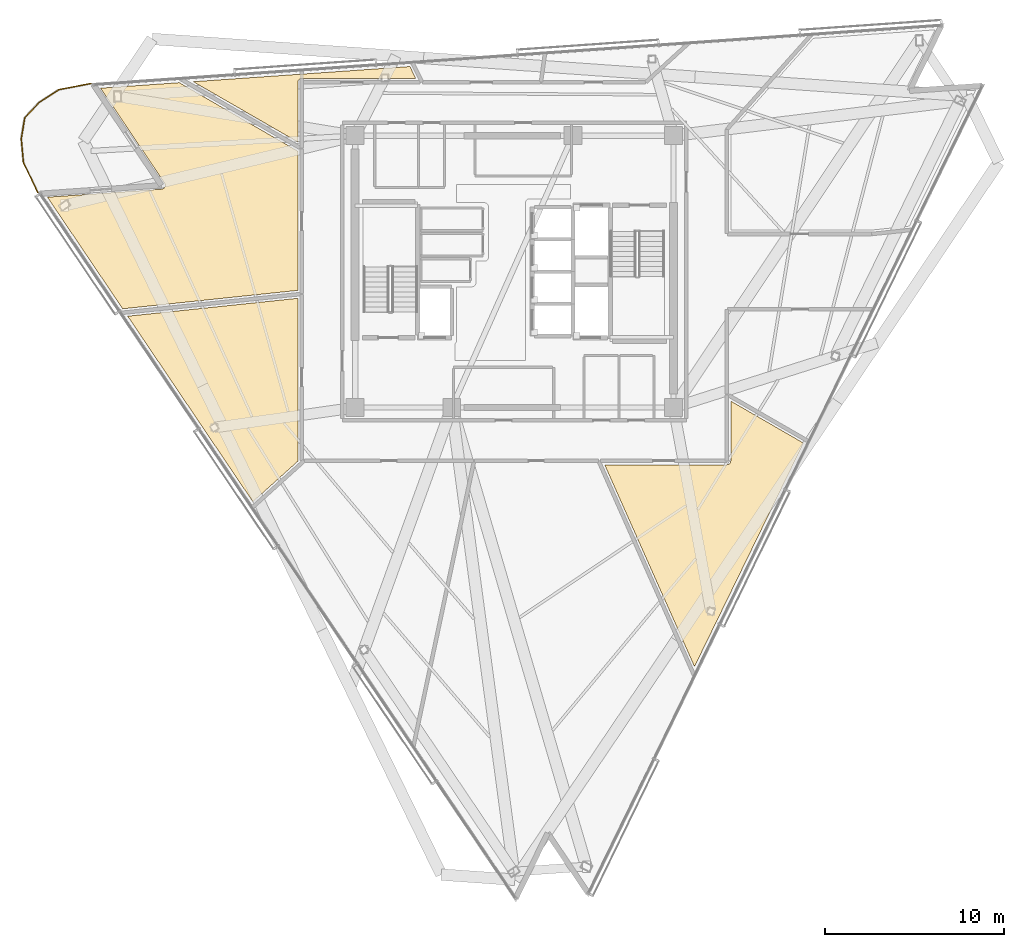
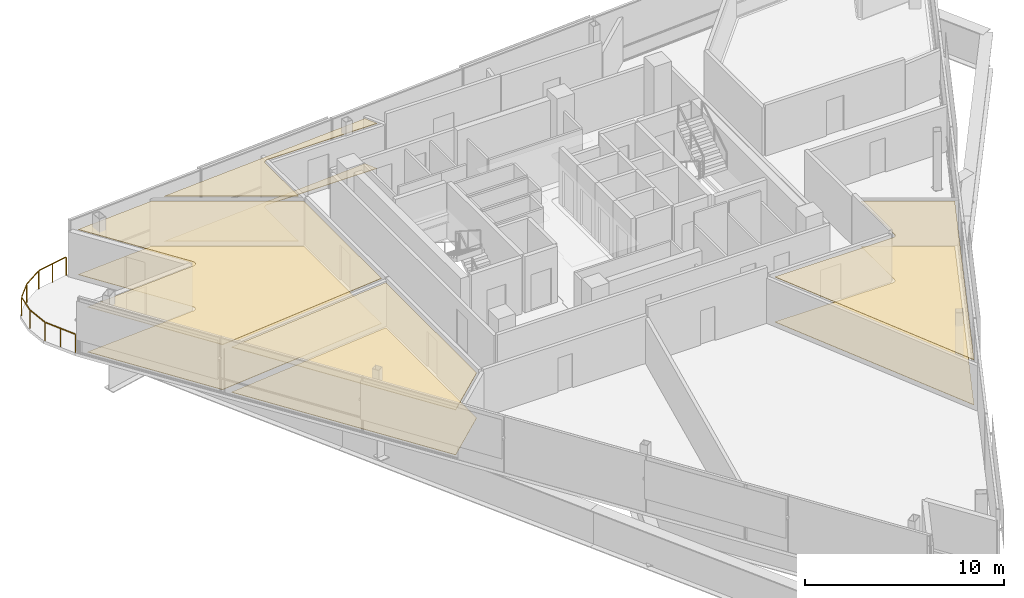
# One storey, part 15 of 17: 8 coverings, 1 railing.
"""IFC4 building model written with IfcOpenShell, lengths in metres."""

from ifc_helpers import new_model, si_unit, direction, frame, origin, origin_2d, place, context, subcontext, project, spatial, polyline, rectangle, outline, extrude, material, layer, layer_set, type_object, element, save


model = new_model("IFC4")

# Units and contexts
model_context = context("Model", 3, precision=1e-05, world=origin(), true_north=direction((0.0, 1.0)))
body_context = subcontext(model_context, "Body", "Model", "MODEL_VIEW")
ifc_project = project(units=[si_unit("LENGTHUNIT", "METRE"), si_unit("AREAUNIT", "SQUARE_METRE"), si_unit("VOLUMEUNIT", "CUBIC_METRE"), si_unit("PLANEANGLEUNIT", "RADIAN"), si_unit("MASSUNIT", "GRAM", prefix="KILO")], contexts=[model_context])

# Site, building, storey
site_placement = place(None, origin())
site = spatial("IfcSite", under=ifc_project, at=site_placement, CompositionType="ELEMENT")
building_placement = place(site_placement, origin())
building = spatial("IfcBuilding", under=site, at=building_placement, Name="Tharavind Bronze Gate", CompositionType="ELEMENT")
storey_placement = place(building_placement, frame((0.0, 0.0, 253.39990234375)))
storey = spatial("IfcBuildingStorey", under=building, at=storey_placement, Name="L65", CompositionType="ELEMENT", Elevation=253.39990234375)

# Coverings
ifc_material_1 = material(Name="Perforated Bronze Acoustic Panel", Category="bronze")
ifc_layer_1 = layer(ifc_material_1, 0.044921875)
ifc_layer_set_1 = layer_set([ifc_layer_1], Name="Perforated Bronze Acoustic Panel")
covering_type_1 = type_object("IfcCoveringType", Name="ACOUSTIC BRONZE BAFFLE CEILING", PredefinedType="CEILING", material=ifc_layer_set_1)
covering_1_placement = place(storey_placement, frame((0.0, 0.0, 2.75)))
element("IfcCovering", 1, at=covering_1_placement, inside=storey, type_object=covering_type_1, Name="L65-RM-04 suspended ceiling", PredefinedType="CEILING", context=body_context, shape_type="SweptSolid", body=[
    extrude(outline(polyline([(-12.10009765625, 7.239990234375), (-12.10009765625, 10.579345703125), (-12.099609375, 10.590087890625), (-12.099609375, 10.5908203125), (-12.09765625, 10.6123046875), (-12.093505859375, 10.63330078125), (-12.087158203125, 10.654052734375), (-12.078857421875, 10.674072265625), (-12.068603515625, 10.693115234375), (-12.056640625, 10.7109375), (-12.04296875, 10.727783203125), (-12.027587890625, 10.742919921875), (-12.010986328125, 10.756591796875), (-11.9931640625, 10.768798828125), (-11.97412109375, 10.77880859375), (-11.9541015625, 10.787109375), (-11.933349609375, 10.79345703125), (-11.912353515625, 10.797607421875), (-11.890869140625, 10.7998046875), (-11.89013671875, 10.7998046875), (-11.87939453125, 10.800048828125), (-5.51220703125, 10.800048828125), (-5.83544921875, 11.46240234375), (-17.94677734375, 10.615478515625), (-12.10009765625, 7.239990234375)])), origin(), (0.0, 0.0, 1.0), 0.03515625),
])
covering_2_placement = place(storey_placement, frame((0.0, 0.0, 2.75)))
element("IfcCovering", 2, at=covering_2_placement, inside=storey, type_object=covering_type_1, Name="L65-RM-09 suspended ceiling", PredefinedType="CEILING", context=body_context, shape_type="SweptSolid", body=[
    extrude(outline(polyline([(10.072998046875, -22.083251953125), (16.167236328125, -9.588134765625), (12.10009765625, -7.239990234375), (12.10009765625, -10.579345703125), (12.099609375, -10.590087890625), (12.099609375, -10.5908203125), (12.09765625, -10.6123046875), (12.093505859375, -10.63330078125), (12.087158203125, -10.654052734375), (12.078857421875, -10.674072265625), (12.068603515625, -10.693115234375), (12.056640625, -10.7109375), (12.04296875, -10.727783203125), (12.027587890625, -10.742919921875), (12.010986328125, -10.756591796875), (11.9931640625, -10.768798828125), (11.97412109375, -10.77880859375), (11.9541015625, -10.787109375), (11.933349609375, -10.79345703125), (11.912353515625, -10.797607421875), (11.890869140625, -10.7998046875), (11.89013671875, -10.7998046875), (11.87939453125, -10.800048828125), (5.04931640625, -10.800048828125), (10.072998046875, -22.083251953125)])), origin(), (0.0, 0.0, 1.0), 0.03515625),
])
ifc_material_2 = material(Name="Engineered Oak & Carpet Tile", Category="wood")
ifc_layer_2 = layer(ifc_material_2, 0.02490234375)
ifc_layer_set_2 = layer_set([ifc_layer_2], Name="Engineered Oak & Carpet Tile")
covering_type_2 = type_object("IfcCoveringType", Name="ENGINEERED TIMBER FLOORING", PredefinedType="FLOORING", material=ifc_layer_set_2)
covering_3_placement = place(storey_placement, origin())
element("IfcCovering", 3, at=covering_3_placement, inside=storey, type_object=covering_type_2, Name="L65-RM-04 floor finish", PredefinedType="FLOORING", context=body_context, shape_type="SweptSolid", body=[
    extrude(outline(polyline([(-12.10009765625, 7.239990234375), (-12.10009765625, 10.579345703125), (-12.099609375, 10.590087890625), (-12.099609375, 10.5908203125), (-12.09765625, 10.6123046875), (-12.093505859375, 10.63330078125), (-12.087158203125, 10.654052734375), (-12.078857421875, 10.674072265625), (-12.068603515625, 10.693115234375), (-12.056640625, 10.7109375), (-12.04296875, 10.727783203125), (-12.027587890625, 10.742919921875), (-12.010986328125, 10.756591796875), (-11.9931640625, 10.768798828125), (-11.97412109375, 10.77880859375), (-11.9541015625, 10.787109375), (-11.933349609375, 10.79345703125), (-11.912353515625, 10.797607421875), (-11.890869140625, 10.7998046875), (-11.89013671875, 10.7998046875), (-11.87939453125, 10.800048828125), (-5.51220703125, 10.800048828125), (-5.83544921875, 11.46240234375), (-17.94677734375, 10.615478515625), (-12.10009765625, 7.239990234375)])), origin(), (0.0, 0.0, 1.0), 0.025146484375),
])
covering_4_placement = place(storey_placement, origin())
element("IfcCovering", 4, at=covering_4_placement, inside=storey, type_object=covering_type_2, Name="L65-RM-05 floor finish", PredefinedType="FLOORING", context=body_context, shape_type="SweptSolid", body=[
    extrude(outline(polyline([(-21.89404296875, -2.080078125), (-12.10009765625, -1.050537109375), (-12.10009765625, 6.73193359375), (-18.731689453125, 10.560791015625), (-23.13037109375, 10.253173828125), (-19.552490234375, 4.94873046875), (-19.546630859375, 4.939453125), (-19.54638671875, 4.93896484375), (-19.535888671875, 4.919677734375), (-19.52734375, 4.8994140625), (-19.52099609375, 4.87841796875), (-19.516845703125, 4.85693359375), (-19.514892578125, 4.835205078125), (-19.514892578125, 4.813232421875), (-19.51708984375, 4.79150390625), (-19.521484375, 4.77001953125), (-19.5283203125, 4.7490234375), (-19.536865234375, 4.728759765625), (-19.54736328125, 4.709716796875), (-19.559814453125, 4.69140625), (-19.573974609375, 4.6748046875), (-19.58984375, 4.65966796875), (-19.60693359375, 4.64599609375), (-19.62548828125, 4.63427734375), (-19.64501953125, 4.624267578125), (-19.66552734375, 4.6162109375), (-19.686767578125, 4.610595703125), (-19.708251953125, 4.606689453125), (-19.708984375, 4.606689453125), (-19.7197265625, 4.605712890625), (-26.1025390625, 4.1591796875), (-21.89404296875, -2.080078125)])), origin(), (0.0, 0.0, 1.0), 0.025146484375),
])
covering_5_placement = place(storey_placement, origin())
element("IfcCovering", 5, at=covering_5_placement, inside=storey, type_object=covering_type_2, Name="L65-RM-06 floor finish", PredefinedType="FLOORING", context=body_context, shape_type="SweptSolid", body=[
    extrude(outline(polyline([(-14.618408203125, -12.866455078125), (-12.09912109375, -10.597900390625), (-12.099609375, -10.5908203125), (-12.099609375, -10.590087890625), (-12.10009765625, -10.579345703125), (-12.10009765625, -1.492919921875), (-21.615478515625, -2.4931640625), (-14.618408203125, -12.866455078125)])), origin(), (0.0, 0.0, 1.0), 0.025146484375),
])
ifc_material_3 = material(Name="Acoustic Gypsum Board", Category="gypsum")
ifc_layer_3 = layer(ifc_material_3, 0.030029296875)
ifc_layer_set_3 = layer_set([ifc_layer_3], Name="Acoustic Gypsum Board")
covering_type_3 = type_object("IfcCoveringType", Name="GYPSUM SUSPENDED CEILING", PredefinedType="CEILING", material=ifc_layer_set_3)
covering_6_placement = place(storey_placement, frame((0.0, 0.0, 2.75)))
element("IfcCovering", 6, at=covering_6_placement, inside=storey, type_object=covering_type_3, Name="L65-RM-05 suspended ceiling", PredefinedType="CEILING", context=body_context, shape_type="SweptSolid", body=[
    extrude(outline(polyline([(-21.89404296875, -2.080078125), (-12.10009765625, -1.050537109375), (-12.10009765625, 6.73193359375), (-18.731689453125, 10.560791015625), (-23.13037109375, 10.253173828125), (-19.552490234375, 4.94873046875), (-19.546630859375, 4.939453125), (-19.54638671875, 4.93896484375), (-19.535888671875, 4.919677734375), (-19.52734375, 4.8994140625), (-19.52099609375, 4.87841796875), (-19.516845703125, 4.85693359375), (-19.514892578125, 4.835205078125), (-19.514892578125, 4.813232421875), (-19.51708984375, 4.79150390625), (-19.521484375, 4.77001953125), (-19.5283203125, 4.7490234375), (-19.536865234375, 4.728759765625), (-19.54736328125, 4.709716796875), (-19.559814453125, 4.69140625), (-19.573974609375, 4.6748046875), (-19.58984375, 4.65966796875), (-19.60693359375, 4.64599609375), (-19.62548828125, 4.63427734375), (-19.64501953125, 4.624267578125), (-19.66552734375, 4.6162109375), (-19.686767578125, 4.610595703125), (-19.708251953125, 4.606689453125), (-19.708984375, 4.606689453125), (-19.7197265625, 4.605712890625), (-26.1025390625, 4.1591796875), (-21.89404296875, -2.080078125)])), origin(), (0.0, 0.0, 1.0), 0.03515625),
])
covering_7_placement = place(storey_placement, frame((0.0, 0.0, 2.75)))
element("IfcCovering", 7, at=covering_7_placement, inside=storey, type_object=covering_type_3, Name="L65-RM-06 suspended ceiling", PredefinedType="CEILING", context=body_context, shape_type="SweptSolid", body=[
    extrude(outline(polyline([(-14.618408203125, -12.866455078125), (-12.09912109375, -10.597900390625), (-12.099609375, -10.5908203125), (-12.099609375, -10.590087890625), (-12.10009765625, -10.579345703125), (-12.10009765625, -1.492919921875), (-21.615478515625, -2.4931640625), (-14.618408203125, -12.866455078125)])), origin(), (0.0, 0.0, 1.0), 0.03515625),
])
ifc_material_4 = material(Name="Honed Travertine Limestone", Category="masonry")
ifc_layer_4 = layer(ifc_material_4, 0.030029296875)
ifc_layer_set_4 = layer_set([ifc_layer_4], Name="Honed Travertine Limestone")
covering_type_4 = type_object("IfcCoveringType", Name="HONED LIMESTONE FLOORING", PredefinedType="FLOORING", material=ifc_layer_set_4)
covering_8_placement = place(storey_placement, origin())
element("IfcCovering", 8, at=covering_8_placement, inside=storey, type_object=covering_type_4, Name="L65-RM-09 floor finish", PredefinedType="FLOORING", context=body_context, shape_type="SweptSolid", body=[
    extrude(outline(polyline([(10.072998046875, -22.083251953125), (16.167236328125, -9.588134765625), (12.10009765625, -7.239990234375), (12.10009765625, -10.579345703125), (12.099609375, -10.590087890625), (12.099609375, -10.5908203125), (12.09765625, -10.6123046875), (12.093505859375, -10.63330078125), (12.087158203125, -10.654052734375), (12.078857421875, -10.674072265625), (12.068603515625, -10.693115234375), (12.056640625, -10.7109375), (12.04296875, -10.727783203125), (12.027587890625, -10.742919921875), (12.010986328125, -10.756591796875), (11.9931640625, -10.768798828125), (11.97412109375, -10.77880859375), (11.9541015625, -10.787109375), (11.933349609375, -10.79345703125), (11.912353515625, -10.797607421875), (11.890869140625, -10.7998046875), (11.89013671875, -10.7998046875), (11.87939453125, -10.800048828125), (5.04931640625, -10.800048828125), (10.072998046875, -22.083251953125)])), origin(), (0.0, 0.0, 1.0), 0.025146484375),
])

# Railing
ifc_material_5 = material(Name="Bronze Cap & Laminated Glass", Category="glass")
railing_type = type_object("IfcRailingType", Name="TERRACE GLASS GUARD RAILING 1150", PredefinedType="GUARDRAIL", material=ifc_material_5)
railing_placement = place(storey_placement, frame((-26.641845703125, 4.42236328125, 0.0)))
element("IfcRailing", 9, at=railing_placement, inside=storey, type_object=railing_type, Name="L65 tree balcony guard railing", PredefinedType="GUARDRAIL", context=body_context, shape_type="SweptSolid", body=[
    extrude(rectangle(XDim=0.048095703125, YDim=0.048095703125, at=origin_2d()), frame((-0.013671875, 0.02880859375, 1.1259765625), z_axis=(-0.430751391527, 0.902470630379, 0.0), x_axis=(-0.902470630379, -0.430751391527, 0.0)), (0.0, 0.0, 1.0), 1.80126953125),
    extrude(rectangle(XDim=0.048095703125, YDim=0.048095703125, at=origin_2d()), frame((-0.806396484375, 1.71533203125, 1.1259765625), z_axis=(-0.089334965903, 0.996001638486, 0.0), x_axis=(-0.996001638486, -0.089334965903, 0.0)), (0.0, 0.0, 1.0), 1.255859375),
    extrude(rectangle(XDim=0.048095703125, YDim=0.048095703125, at=origin_2d()), frame((-0.916259765625, 3.029541015625, 1.1259765625), z_axis=(0.162720183317, 0.986672256599, 0.0), x_axis=(-0.986672256599, 0.162720183317, 0.0)), (0.0, 0.0, 1.0), 1.115234375),
    extrude(rectangle(XDim=0.048095703125, YDim=0.048095703125, at=origin_2d()), frame((-0.707763671875, 4.18505859375, 1.1259765625), z_axis=(0.677316588689, 0.735691673656, 0.0), x_axis=(-0.735691673656, 0.677316588689, 0.0)), (0.0, 0.0, 1.0), 1.115478515625),
    extrude(rectangle(XDim=0.048095703125, YDim=0.048095703125, at=origin_2d()), frame((0.09619140625, 5.046630859375, 1.1259765625), z_axis=(0.839847920102, 0.542821767342, 0.0), x_axis=(-0.542821767342, 0.839847920102, 0.0)), (0.0, 0.0, 1.0), 1.256103515625),
    extrude(rectangle(XDim=0.048095703125, YDim=0.048095703125, at=origin_2d()), frame((1.20947265625, 5.751953125, 1.1259765625), z_axis=(0.98171467538, 0.190358336157, 0.0), x_axis=(-0.190358336157, 0.98171467538, 0.0)), (0.0, 0.0, 1.0), 1.763671875),
    extrude(rectangle(XDim=0.0400390625, YDim=0.0400390625, at=origin_2d()), origin(), (0.0, 0.0, 1.0), 1.097900390625),
    extrude(rectangle(XDim=0.0400390625, YDim=0.0400390625, at=origin_2d()), frame((-0.40185546875, 0.841796875, 0.0)), (0.0, 0.0, 1.0), 1.097900390625),
    extrude(rectangle(XDim=0.0400390625, YDim=0.0400390625, at=origin_2d()), frame((-0.803466796875, 1.683349609375, 0.0)), (0.0, 0.0, 1.0), 1.097900390625),
    extrude(rectangle(XDim=0.0400390625, YDim=0.0400390625, at=origin_2d()), frame((-0.92138671875, 2.998046875, 0.0)), (0.0, 0.0, 1.0), 1.097900390625),
    extrude(rectangle(XDim=0.0400390625, YDim=0.0400390625, at=origin_2d()), frame((-0.7294921875, 4.16162109375, 0.0)), (0.0, 0.0, 1.0), 1.097900390625),
    extrude(rectangle(XDim=0.0400390625, YDim=0.0400390625, at=origin_2d()), frame((0.0693359375, 5.029296875, 0.0)), (0.0, 0.0, 1.0), 1.097900390625),
    extrude(rectangle(XDim=0.0400390625, YDim=0.0400390625, at=origin_2d()), frame((1.177978515625, 5.745849609375, 0.0)), (0.0, 0.0, 1.0), 1.097900390625),
    extrude(rectangle(XDim=0.0400390625, YDim=0.0400390625, at=origin_2d()), frame((2.0751953125, 5.919921875, 0.0)), (0.0, 0.0, 1.0), 1.097900390625),
    extrude(rectangle(XDim=0.0400390625, YDim=0.0400390625, at=origin_2d()), frame((2.97216796875, 6.09375, 0.0)), (0.0, 0.0, 1.0), 1.097900390625),
])

save(model, "model.ifc")
